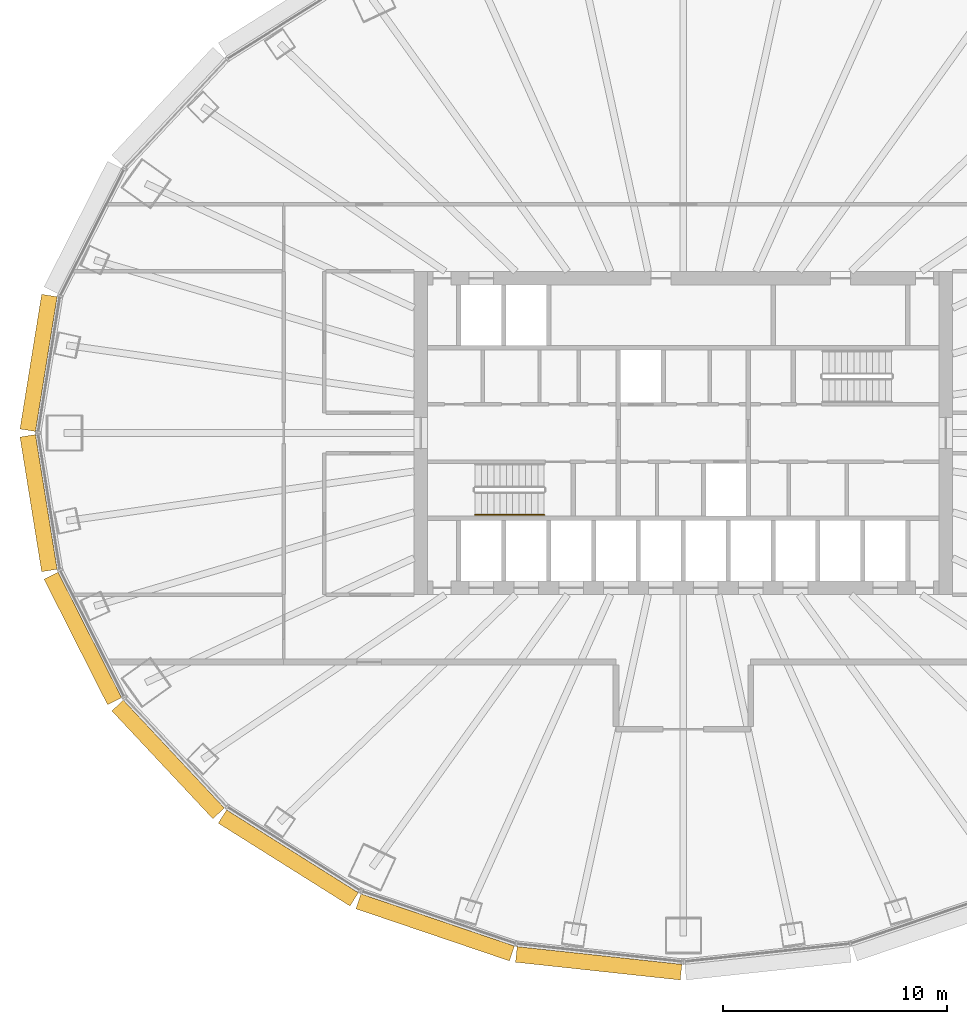
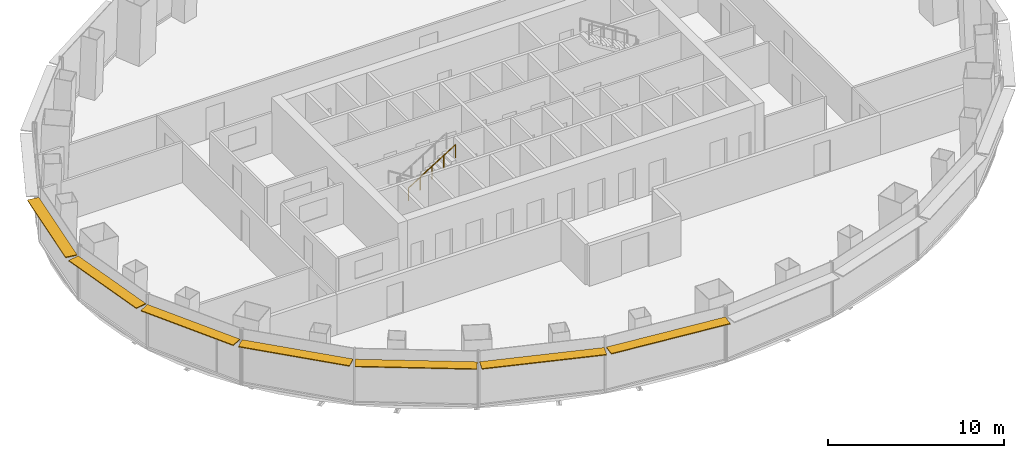
# One storey, part 10 of 13: 7 shading devices, 1 railing.
"""IFC4 building model written with IfcOpenShell, lengths in metres."""

from ifc_helpers import new_model, si_unit, direction, frame, origin, origin_2d, place, context, subcontext, project, spatial, rectangle, circle, extrude, material, layer, layer_set, type_object, element, save


model = new_model("IFC4")

# Units and contexts
model_context = context("Model", 3, precision=1e-05, world=origin(), true_north=direction((0.0, 1.0)))
body_context = subcontext(model_context, "Body", "Model", "MODEL_VIEW")
ifc_project = project(units=[si_unit("LENGTHUNIT", "METRE"), si_unit("AREAUNIT", "SQUARE_METRE"), si_unit("VOLUMEUNIT", "CUBIC_METRE"), si_unit("PLANEANGLEUNIT", "RADIAN"), si_unit("MASSUNIT", "GRAM", prefix="KILO")], contexts=[model_context])

# Site, building, storey
site_placement = place(None, origin())
site = spatial("IfcSite", under=ifc_project, at=site_placement, CompositionType="ELEMENT")
building_placement = place(site_placement, origin())
building = spatial("IfcBuilding", under=site, at=building_placement, Name="Siaravel Broadcast Tower", CompositionType="ELEMENT")
storey_placement = place(building_placement, frame((0.0, 0.0, 24.5)))
storey = spatial("IfcBuildingStorey", under=building, at=storey_placement, Name="L04", CompositionType="ELEMENT", Elevation=24.5)

# Shading devices
ifc_material_1 = material(Name="Bronze anodised aluminium", Category="aluminium")
ifc_layer = layer(ifc_material_1, 0.06005859375)
ifc_layer_set = layer_set([ifc_layer], Name="Bronze anodised aluminium")
shading_device_type = type_object("IfcShadingDeviceType", Name="Brise-soleil band", PredefinedType="USERDEFINED", material=ifc_layer_set)
for number, where, z_axis, x_axis, name in (
    (1, (-28.726318359375, 3.125, 3.070068359375), (0.0, 0.0, 1.0), (-0.158685394, -0.987329198, 0.0), "L04 brise-soleil band 12"),
    (2, (-28.726318359375, -3.125, 3.070068359375), (0.0, 0.0, 1.0), (0.158685394, -0.987329198, 0.0), "L04 brise-soleil band 13"),
):
    element("IfcShadingDevice", number, at=place(storey_placement, frame(where, z_axis=z_axis, x_axis=x_axis)), inside=storey, type_object=shading_device_type, Name=name, ObjectType="SUNSHADE", PredefinedType="USERDEFINED", context=body_context, shape_type="SweptSolid", body=[
        extrude(rectangle(XDim=6.078125, YDim=0.699951171875, at=origin_2d()), origin(), (0.0, 0.0, 1.0), 0.06005859375),
    ])
shading_device_1_placement = place(storey_placement, frame((-26.75439453125, -9.15478515625, 3.070068359375), z_axis=(0.0, 0.0, 1.0), x_axis=(0.451262289, -0.892391364, 0.0)))
element("IfcShadingDevice", 3, at=shading_device_1_placement, inside=storey, type_object=shading_device_type, Name="L04 brise-soleil band 14", ObjectType="SUNSHADE", PredefinedType="USERDEFINED", context=body_context, shape_type="SweptSolid", body=[
    extrude(rectangle(XDim=6.268310546875, YDim=0.699951171875, at=origin_2d()), origin(), (0.0, 0.0, 1.0), 0.06005859375),
])
shading_device_2_placement = place(storey_placement, frame((-22.95556640625, -14.54541015625, 3.070068359375), z_axis=(0.0, 0.0, 1.0), x_axis=(0.683655992, -0.729804415, 0.0)))
element("IfcShadingDevice", 4, at=shading_device_2_placement, inside=storey, type_object=shading_device_type, Name="L04 brise-soleil band 15", ObjectType="SUNSHADE", PredefinedType="USERDEFINED", context=body_context, shape_type="SweptSolid", body=[
    extrude(rectangle(XDim=6.584716796875, YDim=0.699951171875, at=origin_2d()), origin(), (0.0, 0.0, 1.0), 0.06005859375),
])
shading_device_3_placement = place(storey_placement, frame((-17.599853515625, -18.93310546875, 3.070068359375), z_axis=(0.0, 0.0, 1.0), x_axis=(0.846651365, -0.532147974, 0.0)))
element("IfcShadingDevice", 5, at=shading_device_3_placement, inside=storey, type_object=shading_device_type, Name="L04 brise-soleil band 16", ObjectType="SUNSHADE", PredefinedType="USERDEFINED", context=body_context, shape_type="SweptSolid", body=[
    extrude(rectangle(XDim=6.9326171875, YDim=0.699951171875, at=origin_2d()), origin(), (0.0, 0.0, 1.0), 0.06005859375),
])
shading_device_4_placement = place(storey_placement, frame((-11.056884765625, -22.02783203125, 3.070068359375), z_axis=(0.0, 0.0, 1.0), x_axis=(0.946977245, -0.321300635, 0.0)))
element("IfcShadingDevice", 6, at=shading_device_4_placement, inside=storey, type_object=shading_device_type, Name="L04 brise-soleil band 17", ObjectType="SUNSHADE", PredefinedType="USERDEFINED", context=body_context, shape_type="SweptSolid", body=[
    extrude(rectangle(XDim=7.220703125, YDim=0.699951171875, at=origin_2d()), origin(), (0.0, 0.0, 1.0), 0.06005859375),
])
shading_device_5_placement = place(storey_placement, frame((-3.77001953125, -23.627197265625, 3.070068359375), z_axis=(0.0, 0.0, 1.0), x_axis=(0.994235667, -0.107216783, 0.0)))
element("IfcShadingDevice", 7, at=shading_device_5_placement, inside=storey, type_object=shading_device_type, Name="L04 brise-soleil band 18", ObjectType="SUNSHADE", PredefinedType="USERDEFINED", context=body_context, shape_type="SweptSolid", body=[
    extrude(rectangle(XDim=7.3818359375, YDim=0.699951171875, at=origin_2d()), origin(), (0.0, 0.0, 1.0), 0.06005859375),
])

# Railing
ifc_material_2 = material(Name="Stainless steel 316L", Category="steel")
railing_type = type_object("IfcRailingType", Name="Stair handrail 900", PredefinedType="HANDRAIL", material=ifc_material_2)
railing_placement = place(storey_placement, frame((-9.280029296875, -3.64990234375, 2.27490234375)))
element("IfcRailing", 8, at=railing_placement, inside=storey, type_object=railing_type, Name="L04 ST-1 stair handrail 2", PredefinedType="HANDRAIL", context=body_context, shape_type="SweptSolid", body=[
    extrude(circle(Radius=0.02392578125, at=origin_2d()), frame((0.0, 0.0, 0.8759765625), z_axis=(0.847998304, 0.0, 0.52999894), x_axis=(0.0, 1.0, 0.0)), (0.0, 0.0, 1.0), 3.632080078125),
    extrude(circle(Radius=0.02099609375, at=origin_2d()), origin(), (0.0, 0.0, 1.0), 0.851806640625),
    extrude(circle(Radius=0.02099609375, at=origin_2d()), frame((0.77001953125, 0.0, 0.481201171875)), (0.0, 0.0, 1.0), 0.851806640625),
    extrude(circle(Radius=0.02099609375, at=origin_2d()), frame((1.5400390625, 0.0, 0.96240234375)), (0.0, 0.0, 1.0), 0.851806640625),
    extrude(circle(Radius=0.02099609375, at=origin_2d()), frame((2.31005859375, 0.0, 1.44384765625)), (0.0, 0.0, 1.0), 0.851806640625),
    extrude(circle(Radius=0.02099609375, at=origin_2d()), frame((3.080078125, 0.0, 1.925048828125)), (0.0, 0.0, 1.0), 0.851806640625),
])

save(model, "model.ifc")
